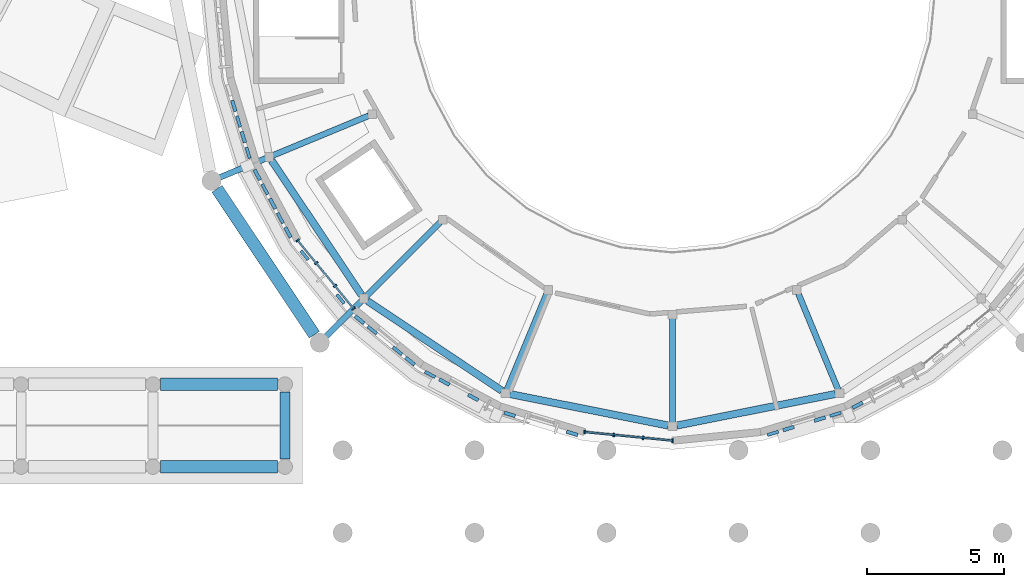
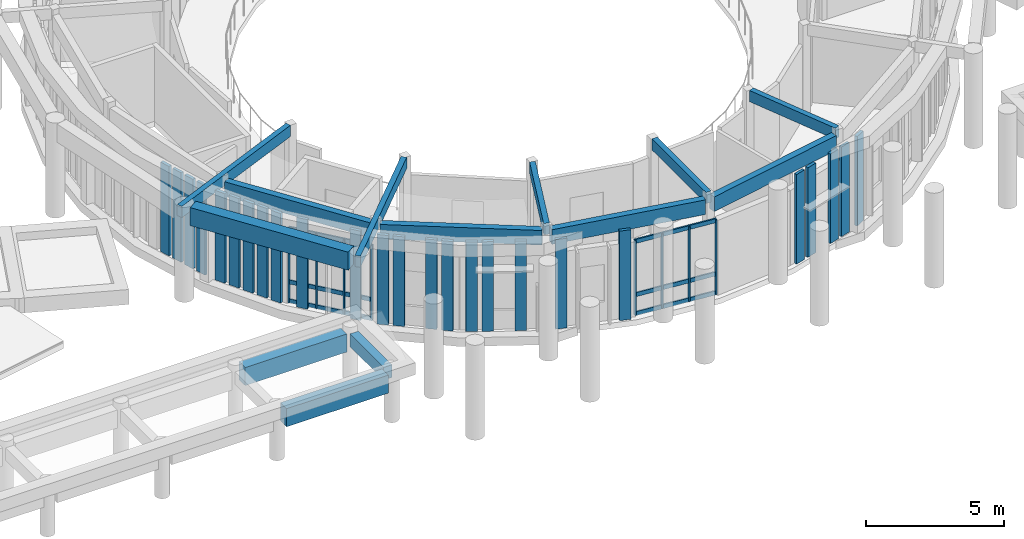
# One storey, part 11 of 80: 44 members, 8 beams, 2 elements without a shape of their own.
"""IFC4 building model written with IfcOpenShell, lengths in metres."""

from ifc_helpers import new_model, si_unit, direction, frame, origin, origin_2d, place, context, subcontext, project, spatial, rectangle, extrude, material, layer, layer_set, material_profile, profile_set, type_object, element, aggregate, save


model = new_model("IFC4")

# Units and contexts
model_context = context("Model", 3, precision=1e-05, world=origin(), true_north=direction((0.0, 1.0)))
body_context = subcontext(model_context, "Body", "Model", "MODEL_VIEW")
ifc_project = project(units=[si_unit("LENGTHUNIT", "METRE"), si_unit("AREAUNIT", "SQUARE_METRE"), si_unit("VOLUMEUNIT", "CUBIC_METRE"), si_unit("PLANEANGLEUNIT", "RADIAN"), si_unit("MASSUNIT", "GRAM", prefix="KILO")], contexts=[model_context])

# Site, building, storey
site_placement = place(None, origin())
site = spatial("IfcSite", under=ifc_project, at=site_placement, CompositionType="ELEMENT")
building_placement = place(site_placement, origin())
building = spatial("IfcBuilding", under=site, at=building_placement, Name="Aldenvaro Health Centre", CompositionType="ELEMENT")
storey_placement = place(building_placement, frame((0.0, 0.0, 4.550048828125)))
storey = spatial("IfcBuildingStorey", under=building, at=storey_placement, Name="L01", CompositionType="ELEMENT", Elevation=4.550048828125)

# Beams
ifc_material_1 = material(Name="Glulam GL28h", Category="wood")
ifc_material_profile_1 = material_profile(ifc_material_1, rectangle(XDim=0.264892578125, YDim=0.64599609375, at=origin_2d()), Name="GL 265x646", Category="wood")
ifc_profile_set_1 = profile_set([ifc_material_profile_1], Name="Glulam GL28h")
beam_type_1 = type_object("IfcBeamType", Name="BM-GL-646", PredefinedType="SPANDREL", material=ifc_profile_set_1)
for number, where, z_axis, x_axis, name in (
    (1, (72.416015625, 13.7919921875, 3.636962890625), (0.555657760131, -0.831411121893, 0.0), (0.831411121893, 0.555657760131, 0.0), "D1 L01 perimeter spandrel 10"),
    (2, (75.902099609375, 8.68408203125, 3.636962890625), (0.831411121893, -0.555657760131, 0.0), (0.555657760131, 0.831411121893, 0.0), "D1 L01 perimeter spandrel 11"),
):
    element("IfcBeam", number, at=place(storey_placement, frame(where, z_axis=z_axis, x_axis=x_axis)), inside=storey, type_object=beam_type_1, Name=name, PredefinedType="SPANDREL", context=body_context, shape_type="SweptSolid", body=[
        extrude(rectangle(XDim=0.264892578125, YDim=0.64599609375, at=origin_2d()), origin(), (0.0, 0.0, 1.0), 5.88134765625),
    ])
for number, where, z_axis, x_axis, name in (
    (3, (81.076904296875, 5.298095703125, 3.636962890625), (0.980795597476, -0.19503844742, 0.0), (0.19503844742, 0.980795597476, 0.0), "D1 L01 perimeter spandrel 12"),
    (4, (87.154052734375, 4.15087890625, 3.636962890625), (0.980795597476, 0.19503844742, 0.0), (-0.19503844742, 0.980795597476, 0.0), "D1 L01 perimeter spandrel 13"),
):
    element("IfcBeam", number, at=place(storey_placement, frame(where, z_axis=z_axis, x_axis=x_axis)), inside=storey, type_object=beam_type_1, Name=name, PredefinedType="SPANDREL", context=body_context, shape_type="SweptSolid", body=[
        extrude(rectangle(XDim=0.264892578125, YDim=0.64599609375, at=origin_2d()), origin(), (0.0, 0.0, 1.0), 5.882080078125),
    ])
ifc_material_2 = material(Name="Concrete f'c 40 MPa", Category="concrete")
ifc_material_profile_2 = material_profile(ifc_material_2, rectangle(XDim=0.35009765625, YDim=0.56005859375, at=origin_2d()), Name="RC 350x560", Category="concrete")
ifc_profile_set_2 = profile_set([ifc_material_profile_2], Name="Concrete f'c 40 MPa")
beam_type_2 = type_object("IfcBeamType", Name="BM-RC-560E", PredefinedType="JOIST", material=ifc_profile_set_2)
beam_1_placement = place(storey_placement, frame((72.89990234375, 2.925048828125, 1.869873046875), z_axis=(0.0, 1.0, 0.0), x_axis=(-1.0, 0.0, 0.0)))
element("IfcBeam", 5, at=beam_1_placement, inside=storey, type_object=beam_type_2, Name="South Stoa W Transverse Beam L01-9", PredefinedType="JOIST", context=body_context, shape_type="SweptSolid", body=[
    extrude(rectangle(XDim=0.35009765625, YDim=0.56005859375, at=origin_2d()), origin(), (0.0, 0.0, 1.0), 2.449951171875),
])
ifc_material_profile_3 = material_profile(ifc_material_2, rectangle(XDim=0.449951171875, YDim=0.800048828125, at=origin_2d()), Name="RC 450x800", Category="concrete")
ifc_profile_set_3 = profile_set([ifc_material_profile_3], Name="Concrete f'c 40 MPa")
beam_type_3 = type_object("IfcBeamType", Name="BM-RC-800", PredefinedType="SPANDREL", material=ifc_profile_set_3)
for number, where, z_axis, x_axis, name in (
    (6, (68.375, 2.64990234375, 1.75), (1.0, 0.0, 0.0), (0.0, 1.0, 0.0), "South Stoa W Classical Architrave L01-8.1"),
    (7, (68.375, 5.64990234375, 1.75), (1.0, 0.0, 0.0), (0.0, 1.0, 0.0), "South Stoa W Classical Architrave L01-8.2"),
):
    element("IfcBeam", number, at=place(storey_placement, frame(where, z_axis=z_axis, x_axis=x_axis)), inside=storey, type_object=beam_type_3, Name=name, PredefinedType="SPANDREL", context=body_context, shape_type="SweptSolid", body=[
        extrude(rectangle(XDim=0.449951171875, YDim=0.800048828125, at=origin_2d()), origin(), (0.0, 0.0, 1.0), 4.25),
    ])
beam_2_placement = place(storey_placement, frame((70.426025390625, 12.762939453125, 3.800048828125), z_axis=(0.555635655286, -0.831425894818, 0.0), x_axis=(0.831425894818, 0.555635655286, 0.0)))
element("IfcBeam", 8, at=beam_2_placement, inside=storey, type_object=beam_type_3, Name="Waiting Rotunda Peristyle Entablature Ring 10", PredefinedType="SPANDREL", context=body_context, shape_type="SweptSolid", body=[
    extrude(rectangle(XDim=0.449951171875, YDim=0.800048828125, at=origin_2d()), origin(), (0.0, 0.0, 1.0), 6.381591796875),
])

# Curtain wall, members
ifc_material_3 = material(Name="Anodised Aluminium 6063-T6", Category="aluminium")
ifc_layer = layer(ifc_material_3, 0.179931640625, Name="Anodised Aluminium 6063-T6", Category="aluminium")
ifc_layer_set = layer_set([ifc_layer], Name="Anodised Aluminium 6063-T6")
curtain_wall_type = type_object("IfcCurtainWallType", Name="CW-ROT-01", PredefinedType="NOTDEFINED", material=ifc_layer_set)
curtain_wall_1_placement = place(storey_placement, origin())
curtain_wall_1 = element("IfcCurtainWall", 9, at=curtain_wall_1_placement, inside=storey, type_object=curtain_wall_type, Name="D1 L01 curtain wall bay 09", PredefinedType="NOTDEFINED")
ifc_material_profile_4 = material_profile(ifc_material_3, rectangle(XDim=0.06005859375, YDim=0.135009765625, at=origin_2d()), Name="ALU 60x135", Category="aluminium")
ifc_profile_set_4 = profile_set([ifc_material_profile_4], Name="Anodised Aluminium 6063-T6")
member_type_1 = type_object("IfcMemberType", Name="CWM-150", PredefinedType="MULLION", material=ifc_profile_set_4)
member_1_placement = place(storey_placement, frame((87.0, 3.60009765625, 0.0), z_axis=(0.0, 0.0, 1.0), x_axis=(-0.995186971968, 0.097994340783, 0.0)))
member_1 = element("IfcMember", 10, at=member_1_placement, type_object=member_type_1, Name="D1 L01 curtain wall bay 09 mullion 1", PredefinedType="MULLION", context=body_context, shape_type="SweptSolid", body=[
    extrude(rectangle(XDim=0.06005859375, YDim=0.135009765625, at=origin_2d()), origin(), (0.0, 0.0, 1.0), 3.31396484375),
])
member_2_placement = place(storey_placement, frame((85.93408203125, 3.705078125, 0.0), z_axis=(0.0, 0.0, 1.0), x_axis=(-0.995186971968, 0.097994340783, 0.0)))
member_2 = element("IfcMember", 11, at=member_2_placement, type_object=member_type_1, Name="D1 L01 curtain wall bay 09 mullion 2", PredefinedType="MULLION", context=body_context, shape_type="SweptSolid", body=[
    extrude(rectangle(XDim=0.06005859375, YDim=0.135009765625, at=origin_2d()), origin(), (0.0, 0.0, 1.0), 3.31396484375),
])
member_3_placement = place(storey_placement, frame((84.866943359375, 3.81005859375, 0.0), z_axis=(0.0, 0.0, 1.0), x_axis=(-0.995186971968, 0.097994340783, 0.0)))
member_3 = element("IfcMember", 12, at=member_3_placement, type_object=member_type_1, Name="D1 L01 curtain wall bay 09 mullion 3", PredefinedType="MULLION", context=body_context, shape_type="SweptSolid", body=[
    extrude(rectangle(XDim=0.06005859375, YDim=0.135009765625, at=origin_2d()), origin(), (0.0, 0.0, 1.0), 3.31396484375),
])
member_4_placement = place(storey_placement, frame((83.801025390625, 3.9150390625, 0.0), z_axis=(0.0, 0.0, 1.0), x_axis=(-0.995186971968, 0.097994340783, 0.0)))
member_4 = element("IfcMember", 13, at=member_4_placement, type_object=member_type_1, Name="D1 L01 curtain wall bay 09 mullion 4", PredefinedType="MULLION", context=body_context, shape_type="SweptSolid", body=[
    extrude(rectangle(XDim=0.06005859375, YDim=0.135009765625, at=origin_2d()), origin(), (0.0, 0.0, 1.0), 3.31396484375),
])

curtain_wall_2_placement = place(storey_placement, origin())
curtain_wall_2 = element("IfcCurtainWall", 14, at=curtain_wall_2_placement, inside=storey, type_object=curtain_wall_type, Name="D1 L01 curtain wall bay 13", PredefinedType="NOTDEFINED")
member_5_placement = place(storey_placement, frame((75.403076171875, 8.403076171875, 0.0), z_axis=(0.0, 0.0, 1.0), x_axis=(-0.634168850528, 0.773194586776, 0.0)))
member_5 = element("IfcMember", 15, at=member_5_placement, type_object=member_type_1, Name="D1 L01 curtain wall bay 13 mullion 1", PredefinedType="MULLION", context=body_context, shape_type="SweptSolid", body=[
    extrude(rectangle(XDim=0.06005859375, YDim=0.135009765625, at=origin_2d()), origin(), (0.0, 0.0, 1.0), 3.31396484375),
])
member_6_placement = place(storey_placement, frame((74.722900390625, 9.23193359375, 0.0), z_axis=(0.0, 0.0, 1.0), x_axis=(-0.634168850528, 0.773194586776, 0.0)))
member_6 = element("IfcMember", 16, at=member_6_placement, type_object=member_type_1, Name="D1 L01 curtain wall bay 13 mullion 2", PredefinedType="MULLION", context=body_context, shape_type="SweptSolid", body=[
    extrude(rectangle(XDim=0.06005859375, YDim=0.135009765625, at=origin_2d()), origin(), (0.0, 0.0, 1.0), 3.31396484375),
])
member_7_placement = place(storey_placement, frame((74.0439453125, 10.06005859375, 0.0), z_axis=(0.0, 0.0, 1.0), x_axis=(-0.634168850528, 0.773194586776, 0.0)))
member_7 = element("IfcMember", 17, at=member_7_placement, type_object=member_type_1, Name="D1 L01 curtain wall bay 13 mullion 3", PredefinedType="MULLION", context=body_context, shape_type="SweptSolid", body=[
    extrude(rectangle(XDim=0.06005859375, YDim=0.135009765625, at=origin_2d()), origin(), (0.0, 0.0, 1.0), 3.31396484375),
])
member_8_placement = place(storey_placement, frame((73.364013671875, 10.888916015625, 0.0), z_axis=(0.0, 0.0, 1.0), x_axis=(-0.634168850528, 0.773194586776, 0.0)))
member_8 = element("IfcMember", 18, at=member_8_placement, type_object=member_type_1, Name="D1 L01 curtain wall bay 13 mullion 4", PredefinedType="MULLION", context=body_context, shape_type="SweptSolid", body=[
    extrude(rectangle(XDim=0.06005859375, YDim=0.135009765625, at=origin_2d()), origin(), (0.0, 0.0, 1.0), 3.31396484375),
])

# Member
ifc_material_profile_5 = material_profile(ifc_material_3, rectangle(XDim=0.06494140625, YDim=0.179931640625, at=origin_2d()), Name="ALU 65x180", Category="aluminium")
ifc_profile_set_5 = profile_set([ifc_material_profile_5], Name="Anodised Aluminium 6063-T6")
member_type_2 = type_object("IfcMemberType", Name="CWT-150", PredefinedType="USERDEFINED", material=ifc_profile_set_5)
member_9_placement = place(storey_placement, frame((87.0, 3.60009765625, 0.06005859375), z_axis=(-0.995188673637, 0.097977057849, 0.0), x_axis=(-0.097977057849, -0.995188673637, 0.0)))
member_9 = element("IfcMember", 19, at=member_9_placement, type_object=member_type_2, Name="D1 L01 curtain wall bay 09 transom 1", ObjectType="TRANSOM", PredefinedType="USERDEFINED", context=body_context, shape_type="SweptSolid", body=[
    extrude(rectangle(XDim=0.06494140625, YDim=0.179931640625, at=origin_2d()), origin(), (0.0, 0.0, 1.0), 3.21435546875),
])

member_10_placement = place(storey_placement, frame((87.0, 3.60009765625, 0.89990234375), z_axis=(-0.995188673637, 0.097977057849, 0.0), x_axis=(-0.097977057849, -0.995188673637, 0.0)))
member_10 = element("IfcMember", 20, at=member_10_placement, type_object=member_type_2, Name="D1 L01 curtain wall bay 09 transom 2", ObjectType="TRANSOM", PredefinedType="USERDEFINED", context=body_context, shape_type="SweptSolid", body=[
    extrude(rectangle(XDim=0.06494140625, YDim=0.179931640625, at=origin_2d()), origin(), (0.0, 0.0, 1.0), 3.21435546875),
])

member_11_placement = place(storey_placement, frame((87.0, 3.60009765625, 3.25390625), z_axis=(-0.995188673637, 0.097977057849, 0.0), x_axis=(-0.097977057849, -0.995188673637, 0.0)))
member_11 = element("IfcMember", 21, at=member_11_placement, type_object=member_type_2, Name="D1 L01 curtain wall bay 09 transom 3", ObjectType="TRANSOM", PredefinedType="USERDEFINED", context=body_context, shape_type="SweptSolid", body=[
    extrude(rectangle(XDim=0.06494140625, YDim=0.179931640625, at=origin_2d()), origin(), (0.0, 0.0, 1.0), 3.21435546875),
])

aggregate(curtain_wall_1, [member_1, member_2, member_3, member_4, member_9, member_10, member_11])

member_12_placement = place(storey_placement, frame((75.403076171875, 8.403076171875, 0.06005859375), z_axis=(-0.634204896314, 0.773165020866, 0.0), x_axis=(-0.773165020866, -0.634204896314, 0.0)))
member_12 = element("IfcMember", 22, at=member_12_placement, type_object=member_type_2, Name="D1 L01 curtain wall bay 13 transom 1", ObjectType="TRANSOM", PredefinedType="USERDEFINED", context=body_context, shape_type="SweptSolid", body=[
    extrude(rectangle(XDim=0.06494140625, YDim=0.179931640625, at=origin_2d()), origin(), (0.0, 0.0, 1.0), 3.215087890625),
])

member_13_placement = place(storey_placement, frame((75.403076171875, 8.403076171875, 0.89990234375), z_axis=(-0.634204896314, 0.773165020866, 0.0), x_axis=(-0.773165020866, -0.634204896314, 0.0)))
member_13 = element("IfcMember", 23, at=member_13_placement, type_object=member_type_2, Name="D1 L01 curtain wall bay 13 transom 2", ObjectType="TRANSOM", PredefinedType="USERDEFINED", context=body_context, shape_type="SweptSolid", body=[
    extrude(rectangle(XDim=0.06494140625, YDim=0.179931640625, at=origin_2d()), origin(), (0.0, 0.0, 1.0), 3.215087890625),
])

member_14_placement = place(storey_placement, frame((75.403076171875, 8.403076171875, 3.25390625), z_axis=(-0.634204896314, 0.773165020866, 0.0), x_axis=(-0.773165020866, -0.634204896314, 0.0)))
member_14 = element("IfcMember", 24, at=member_14_placement, type_object=member_type_2, Name="D1 L01 curtain wall bay 13 transom 3", ObjectType="TRANSOM", PredefinedType="USERDEFINED", context=body_context, shape_type="SweptSolid", body=[
    extrude(rectangle(XDim=0.06494140625, YDim=0.179931640625, at=origin_2d()), origin(), (0.0, 0.0, 1.0), 3.215087890625),
])

aggregate(curtain_wall_2, [member_5, member_6, member_7, member_8, member_12, member_13, member_14])

# Members
ifc_material_profile_6 = material_profile(ifc_material_1, rectangle(XDim=0.215087890625, YDim=0.493896484375, at=origin_2d()), Name="GL 215x494", Category="wood")
ifc_profile_set_6 = profile_set([ifc_material_profile_6], Name="Glulam GL28h")
member_type_3 = type_object("IfcMemberType", Name="MEM-RF-494", PredefinedType="RAFTER", material=ifc_profile_set_6)
member_15_placement = place(storey_placement, frame((69.972900390625, 12.947021484375, 3.952880859375), z_axis=(0.923885312463, 0.382669478028, 0.0), x_axis=(-0.382669478028, 0.923885312463, 0.0)))
element("IfcMember", 25, at=member_15_placement, inside=storey, type_object=member_type_3, Name="Waiting Rotunda Cornice Outrigger Rafter 10", PredefinedType="RAFTER", context=body_context, shape_type="SweptSolid", body=[
    extrude(rectangle(XDim=0.215087890625, YDim=0.493896484375, at=origin_2d()), origin(), (0.0, 0.0, 1.0), 6.470458984375),
])
member_16_placement = place(storey_placement, frame((73.968017578125, 6.968017578125, 3.952880859375), z_axis=(0.707106781187, 0.707106781187, 0.0), x_axis=(-0.707106781187, 0.707106781187, 0.0)))
element("IfcMember", 26, at=member_16_placement, inside=storey, type_object=member_type_3, Name="Waiting Rotunda Cornice Outrigger Rafter 11", PredefinedType="RAFTER", context=body_context, shape_type="SweptSolid", body=[
    extrude(rectangle(XDim=0.215087890625, YDim=0.493896484375, at=origin_2d()), origin(), (0.0, 0.0, 1.0), 6.469970703125),
])
member_17_placement = place(storey_placement, frame((80.923095703125, 5.3291015625, 3.952880859375), z_axis=(0.382637811952, 0.923898427785, 0.0), x_axis=(-0.923898427785, 0.382637811952, 0.0)))
element("IfcMember", 27, at=member_17_placement, inside=storey, type_object=member_type_3, Name="Waiting Rotunda Cornice Outrigger Rafter 12", PredefinedType="RAFTER", context=body_context, shape_type="SweptSolid", body=[
    extrude(rectangle(XDim=0.215087890625, YDim=0.493896484375, at=origin_2d()), origin(), (0.0, 0.0, 1.0), 3.920166015625),
])
member_18_placement = place(storey_placement, frame((87.0, 4.1201171875, 3.952880859375), z_axis=(0.0, 1.0, 0.0), x_axis=(-1.0, 0.0, 0.0)))
element("IfcMember", 28, at=member_18_placement, inside=storey, type_object=member_type_3, Name="Waiting Rotunda Cornice Outrigger Rafter 13", PredefinedType="RAFTER", context=body_context, shape_type="SweptSolid", body=[
    extrude(rectangle(XDim=0.215087890625, YDim=0.493896484375, at=origin_2d()), origin(), (0.0, 0.0, 1.0), 3.919921875),
])
member_19_placement = place(storey_placement, frame((93.076904296875, 5.3291015625, 3.952880859375), z_axis=(-0.382637811952, 0.923898427785, 0.0), x_axis=(-0.923898427785, -0.382637811952, 0.0)))
element("IfcMember", 29, at=member_19_placement, inside=storey, type_object=member_type_3, Name="Waiting Rotunda Cornice Outrigger Rafter 14", PredefinedType="RAFTER", context=body_context, shape_type="SweptSolid", body=[
    extrude(rectangle(XDim=0.215087890625, YDim=0.493896484375, at=origin_2d()), origin(), (0.0, 0.0, 1.0), 3.920166015625),
])
ifc_material_profile_7 = material_profile(ifc_material_1, rectangle(XDim=0.114990234375, YDim=0.419921875, at=origin_2d()), Name="GL 115x420", Category="wood")
ifc_profile_set_7 = profile_set([ifc_material_profile_7], Name="Glulam GL28h")
member_type_4 = type_object("IfcMemberType", Name="MEM-SLT-420A", PredefinedType="POST", material=ifc_profile_set_7)
for number, where, z_axis, x_axis, name in (
    (30, (92.925048828125, 4.55908203125, 0.0), (0.0, 0.0, 1.0), (0.290171396605, -0.95697469172, 0.0), "D1 L01 vertical timber slat 7.1"),
    (31, (90.652099609375, 3.868896484375, 0.0), (0.0, 0.0, 1.0), (0.290171396605, -0.95697469172, 0.0), "D1 L01 vertical timber slat 7.5"),
    (32, (78.177001953125, 6.011962890625, 0.0), (0.0, 0.0, 1.0), (-0.471556629455, -0.88183578132, 0.0), "D1 L01 vertical timber slat 11.5"),
    (33, (76.993896484375, 6.8720703125, 0.0), (0.0, 0.0, 1.0), (-0.634168850528, -0.773194586776, 0.0), "D1 L01 vertical timber slat 12.2"),
    (34, (76.075927734375, 7.625, 0.0), (0.0, 0.0, 1.0), (-0.634168850528, -0.773194586776, 0.0), "D1 L01 vertical timber slat 12.4"),
    (35, (74.919921875, 8.7548828125, 0.0), (0.0, 0.0, 1.0), (-0.773194586776, -0.634168850528, 0.0), "D1 L01 curtain mullion timber slat 13"),
    (36, (73.614990234375, 10.345947265625, 0.0), (0.0, 0.0, 1.0), (-0.773194586776, -0.634168850528, 0.0), "D1 L01 curtain mullion timber slat 13"),
    (37, (72.73193359375, 11.699951171875, 0.0), (0.0, 0.0, 1.0), (-0.88183578132, -0.471556629455, 0.0), "D1 L01 vertical timber slat 14.2"),
    (38, (72.172119140625, 12.748046875, 0.0), (0.0, 0.0, 1.0), (-0.88183578132, -0.471556629455, 0.0), "D1 L01 vertical timber slat 14.4"),
    (39, (71.55908203125, 14.074951171875, 0.0), (0.0, 0.0, 1.0), (-0.95697469172, -0.290171396605, 0.0), "D1 L01 vertical timber slat 15.1"),
    (40, (71.214111328125, 15.2119140625, 0.0), (0.0, 0.0, 1.0), (-0.95697469172, -0.290171396605, 0.0), "D1 L01 vertical timber slat 15.3"),
):
    element("IfcMember", number, at=place(storey_placement, frame(where, z_axis=z_axis, x_axis=x_axis)), inside=storey, type_object=member_type_4, Name=name, PredefinedType="POST", context=body_context, shape_type="SweptSolid", body=[
        extrude(rectangle(XDim=0.114990234375, YDim=0.419921875, at=origin_2d()), origin(), (0.0, 0.0, 1.0), 3.9599609375),
    ])
ifc_material_profile_8 = material_profile(ifc_material_1, rectangle(XDim=0.1298828125, YDim=0.419921875, at=origin_2d()), Name="GL 130x420", Category="wood")
ifc_profile_set_8 = profile_set([ifc_material_profile_8], Name="Glulam GL28h")
member_type_5 = type_object("IfcMemberType", Name="MEM-SLT-420B", PredefinedType="POST", material=ifc_profile_set_8)
for number, where, z_axis, x_axis, name in (
    (41, (93.72900390625, 4.89208984375, 0.0), (0.0, 0.0, 1.0), (0.471556629455, -0.88183578132, 0.0), "D1 L01 vertical timber slat 6.5"),
    (42, (92.35693359375, 4.385986328125, 0.0), (0.0, 0.0, 1.0), (0.290171396605, -0.95697469172, 0.0), "D1 L01 vertical timber slat 7.2"),
    (43, (91.219970703125, 4.0419921875, 0.0), (0.0, 0.0, 1.0), (0.290171396605, -0.95697469172, 0.0), "D1 L01 vertical timber slat 7.4"),
    (44, (83.347900390625, 3.868896484375, 0.0), (0.0, 0.0, 1.0), (-0.290171396605, -0.95697469172, 0.0), "D1 L01 vertical timber slat 10.1"),
    (45, (81.074951171875, 4.55908203125, 0.0), (0.0, 0.0, 1.0), (-0.290171396605, -0.95697469172, 0.0), "D1 L01 vertical timber slat 10.5"),
    (46, (79.748046875, 5.172119140625, 0.0), (0.0, 0.0, 1.0), (-0.471556629455, -0.88183578132, 0.0), "D1 L01 vertical timber slat 11.2"),
    (47, (78.699951171875, 5.73193359375, 0.0), (0.0, 0.0, 1.0), (-0.471556629455, -0.88183578132, 0.0), "D1 L01 vertical timber slat 11.4"),
    (48, (77.452880859375, 6.4951171875, 0.0), (0.0, 0.0, 1.0), (-0.634168850528, -0.773194586776, 0.0), "D1 L01 vertical timber slat 12.1"),
    (49, (75.616943359375, 8.0009765625, 0.0), (0.0, 0.0, 1.0), (-0.634168850528, -0.773194586776, 0.0), "D1 L01 vertical timber slat 12.5"),
    (50, (73.011962890625, 11.177001953125, 0.0), (0.0, 0.0, 1.0), (-0.88183578132, -0.471556629455, 0.0), "D1 L01 vertical timber slat 14.1"),
    (51, (72.451904296875, 12.22412109375, 0.0), (0.0, 0.0, 1.0), (-0.88183578132, -0.471556629455, 0.0), "D1 L01 vertical timber slat 14.3"),
    (52, (71.89208984375, 13.27099609375, 0.0), (0.0, 0.0, 1.0), (-0.88183578132, -0.471556629455, 0.0), "D1 L01 vertical timber slat 14.5"),
    (53, (71.385986328125, 14.64306640625, 0.0), (0.0, 0.0, 1.0), (-0.95697469172, -0.290171396605, 0.0), "D1 L01 vertical timber slat 15.2"),
    (54, (71.0419921875, 15.780029296875, 0.0), (0.0, 0.0, 1.0), (-0.95697469172, -0.290171396605, 0.0), "D1 L01 vertical timber slat 15.4"),
):
    element("IfcMember", number, at=place(storey_placement, frame(where, z_axis=z_axis, x_axis=x_axis)), inside=storey, type_object=member_type_5, Name=name, PredefinedType="POST", context=body_context, shape_type="SweptSolid", body=[
        extrude(rectangle(XDim=0.1298828125, YDim=0.419921875, at=origin_2d()), origin(), (0.0, 0.0, 1.0), 3.9599609375),
    ])

save(model, "model.ifc")
